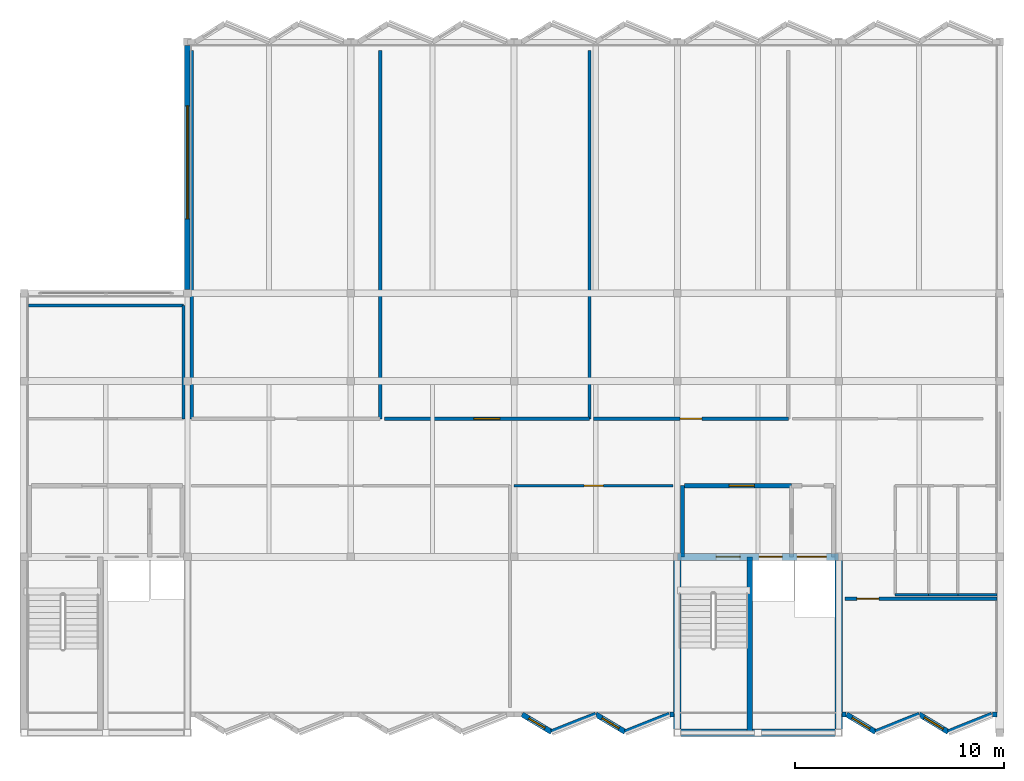
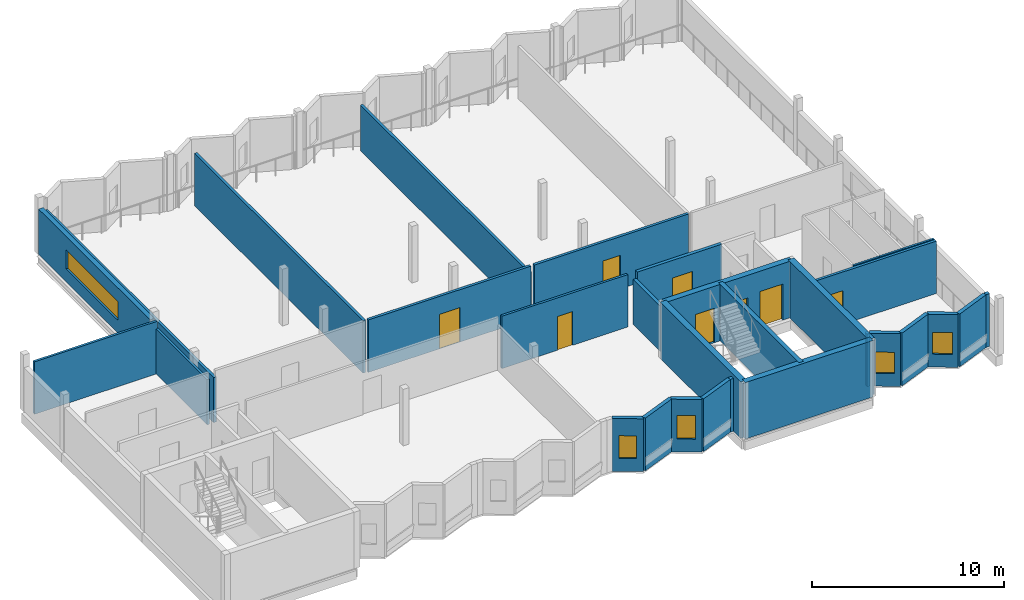
# One storey, part 5 of 11: 31 walls, 8 doors, 5 windows, 13 openings.
"""IFC4 building model written with IfcOpenShell, lengths in metres."""

from ifc_helpers import new_model, si_unit, direction, frame, frame_2d, origin, place, context, subcontext, project, spatial, rectangle, extrude, material, layer, layer_set, type_object, element, fill, save


model = new_model("IFC4")

# Units and contexts
model_context = context("Model", 3, precision=1e-05, world=origin(), true_north=direction((0.0, 1.0)))
body_context = subcontext(model_context, "Body", "Model", "MODEL_VIEW")
ifc_project = project(units=[si_unit("LENGTHUNIT", "METRE"), si_unit("AREAUNIT", "SQUARE_METRE"), si_unit("VOLUMEUNIT", "CUBIC_METRE"), si_unit("PLANEANGLEUNIT", "RADIAN"), si_unit("MASSUNIT", "GRAM", prefix="KILO")], contexts=[model_context])

# Site, building, storey
site_placement = place(None, origin())
site = spatial("IfcSite", under=ifc_project, at=site_placement, CompositionType="ELEMENT")
building_placement = place(site_placement, origin())
building = spatial("IfcBuilding", under=site, at=building_placement, Name="Vharandega Faculty of Natural Sciences", CompositionType="ELEMENT")
storey_placement = place(building_placement, frame((0.0, 0.0, 39.60009765625)))
storey = spatial("IfcBuildingStorey", under=building, at=storey_placement, Name="L10", CompositionType="ELEMENT", Elevation=39.60009765625)

# Walls
ifc_material_1 = material(Name="Concrete C40/50", Category="concrete")
ifc_layer_1 = layer(ifc_material_1, 0.35009765625, Name="Concrete C40/50")
ifc_layer_set_1 = layer_set([ifc_layer_1], Name="Concrete C40/50")
wall_type_1 = type_object("IfcWallType", Name="Core Shear Wall 350", PredefinedType="SHEAR", material=ifc_layer_set_1)
wall_1_placement = place(storey_placement, frame((146.0, 64.0, 0.0), z_axis=(0.0, 0.0, 1.0), x_axis=(1.0, 0.0, 0.0)))
element("IfcWall", 1, at=wall_1_placement, inside=storey, type_object=wall_type_1, Name="Interior Wall CW-C2-L10-S", PredefinedType="SHEAR", context=body_context, shape_type="SweptSolid", body=[
    extrude(rectangle(XDim=7.699951171875, YDim=0.35009765625, at=frame_2d((3.85009765625, 0.0))), origin(), (0.0, 0.0, 1.0), 3.599853515625),
])
for number, where, z_axis, x_axis, name in (
    (2, (146.0, 64.0, 0.0), (0.0, 0.0, 1.0), (0.0, 1.0, 0.0), "Interior Wall CW-C2-L10-W"),
    (3, (153.699951171875, 64.0, 0.0), (0.0, 0.0, 1.0), (0.0, 1.0, 0.0), "Interior Wall CW-C2-L10-E"),
):
    element("IfcWall", number, at=place(storey_placement, frame(where, z_axis=z_axis, x_axis=x_axis)), inside=storey, type_object=wall_type_1, Name=name, PredefinedType="SHEAR", context=body_context, shape_type="SweptSolid", body=[
        extrude(rectangle(XDim=8.39990234375, YDim=0.35009765625, at=frame_2d((4.199951171875, 0.0))), origin(), (0.0, 0.0, 1.0), 3.599853515625),
    ])

# Wall, openings, doors
wall_2_placement = place(storey_placement, frame((146.0, 72.39990234375, 0.0), z_axis=(0.0, 0.0, 1.0), x_axis=(1.0, 0.0, 0.0)))
wall_2 = element("IfcWall", 4, at=wall_2_placement, inside=storey, type_object=wall_type_1, Name="Interior Wall CW-C2-L10-N", PredefinedType="SHEAR", context=body_context, shape_type="SweptSolid", body=[
    extrude(rectangle(XDim=7.699951171875, YDim=0.35009765625, at=frame_2d((3.85009765625, 0.0))), origin(), (0.0, 0.0, 1.0), 3.599853515625),
])
opening_1_placement = place(wall_2_placement, frame((1.85009765625, 0.0, 0.0)))
opening_1 = element("IfcOpeningElement", 5, at=opening_1_placement, cuts=wall_2, Name="Opening FD1", PredefinedType="OPENING", context=body_context, shape_type="SweptSolid", body=[
    extrude(rectangle(XDim=1.14990234375, YDim=2.199951171875, at=frame_2d((0.574951171875, 1.10009765625))), frame((0.0, 0.18505859375, 0.0), z_axis=(0.0, -1.0, 0.0), x_axis=(1.0, 0.0, 0.0)), (0.0, 0.0, 1.0), 0.3701171875),
])
opening_2_placement = place(wall_2_placement, frame((3.89990234375, 0.0, 0.0)))
opening_2 = element("IfcOpeningElement", 6, at=opening_2_placement, cuts=wall_2, Name="Opening LD-FL2-L10", PredefinedType="OPENING", context=body_context, shape_type="SweptSolid", body=[
    extrude(rectangle(XDim=1.10009765625, YDim=2.14990234375, at=frame_2d((0.550048828125, 1.074951171875))), frame((0.0, 0.18505859375, 0.0), z_axis=(0.0, -1.0, 0.0), x_axis=(1.0, 0.0, 0.0)), (0.0, 0.0, 1.0), 0.3701171875),
])
opening_3_placement = place(wall_2_placement, frame((5.719970703125, 0.0, 0.0)))
opening_3 = element("IfcOpeningElement", 7, at=opening_3_placement, cuts=wall_2, Name="Opening LD-LG1-L10", PredefinedType="OPENING", context=body_context, shape_type="SweptSolid", body=[
    extrude(rectangle(XDim=1.39990234375, YDim=2.300048828125, at=frame_2d((0.699951171875, 1.14990234375))), frame((0.0, 0.18505859375, 0.0), z_axis=(0.0, -1.0, 0.0), x_axis=(1.0, 0.0, 0.0)), (0.0, 0.0, 1.0), 0.3701171875),
])
ifc_material_2 = material(Name="Solid-core hardwood timber fire door", Category="wood")
door_type_1 = type_object("IfcDoorType", Name="FD1-STAIR-1150x2200", OperationType="NOTDEFINED", PredefinedType="DOOR", material=ifc_material_2)
door_1_placement = place(opening_1_placement, origin())
door_1 = element("IfcDoor", 8, at=door_1_placement, inside=storey, type_object=door_type_1, Name="Stair ST2 Fire Door FD1", OperationType="SINGLE_SWING_LEFT", OverallHeight=2.199951171875, OverallWidth=1.14990234375, PredefinedType="DOOR", context=body_context, shape_type="SweptSolid", body=[
    extrude(rectangle(XDim=1.14990234375, YDim=2.199951171875, at=frame_2d((0.574951171875, 1.10009765625))), frame((0.0, 0.02490234375, 0.0), z_axis=(0.0, -1.0, 0.0), x_axis=(1.0, 0.0, 0.0)), (0.0, 0.0, 1.0), 0.050048828125),
])
fill(opening_1, door_1)
ifc_material_3 = material(Name="Brushed stainless steel sliding landing door", Category="steel")
door_type_2 = type_object("IfcDoorType", Name="LD1-FFLIFT-SLIDING-1100x2150", OperationType="DOUBLE_DOOR_SLIDING", PredefinedType="DOOR", material=ifc_material_3)
door_2_placement = place(opening_2_placement, origin())
door_2 = element("IfcDoor", 9, at=door_2_placement, inside=storey, type_object=door_type_2, Name="Lift Landing Door LD-FL2-L10", OperationType="DOUBLE_DOOR_SLIDING", OverallHeight=2.14990234375, OverallWidth=1.10009765625, PredefinedType="DOOR", context=body_context, shape_type="SweptSolid", body=[
    extrude(rectangle(XDim=1.10009765625, YDim=2.14990234375, at=frame_2d((0.550048828125, 1.074951171875))), frame((0.0, 0.02490234375, 0.0), z_axis=(0.0, -1.0, 0.0), x_axis=(1.0, 0.0, 0.0)), (0.0, 0.0, 1.0), 0.050048828125),
])
fill(opening_2, door_2)
ifc_material_4 = material(Name="Brushed stainless steel sliding landing door", Category="steel")
door_type_3 = type_object("IfcDoorType", Name="LD3-GOODSLIFT-SLIDING-1400x2300", OperationType="DOUBLE_DOOR_SLIDING", PredefinedType="DOOR", material=ifc_material_4)
door_3_placement = place(opening_3_placement, origin())
door_3 = element("IfcDoor", 10, at=door_3_placement, inside=storey, type_object=door_type_3, Name="Lift Landing Door LD-LG1-L10", OperationType="DOUBLE_DOOR_SLIDING", OverallHeight=2.300048828125, OverallWidth=1.39990234375, PredefinedType="DOOR", context=body_context, shape_type="SweptSolid", body=[
    extrude(rectangle(XDim=1.39990234375, YDim=2.300048828125, at=frame_2d((0.699951171875, 1.14990234375))), frame((0.0, 0.02490234375, 0.0), z_axis=(0.0, -1.0, 0.0), x_axis=(1.0, 0.0, 0.0)), (0.0, 0.0, 1.0), 0.050048828125),
])
fill(opening_3, door_3)

# Wall, opening, door
ifc_material_5 = material(Name="Concrete C40/50", Category="concrete")
ifc_layer_2 = layer(ifc_material_5, 0.199951171875, Name="Concrete C40/50")
ifc_layer_set_2 = layer_set([ifc_layer_2], Name="Concrete C40/50")
wall_type_2 = type_object("IfcWallType", Name="Firefighting Lobby Wall 200", PredefinedType="PARTITIONING", material=ifc_layer_set_2)
wall_3_placement = place(storey_placement, frame((146.35009765625, 75.800048828125, 0.0), z_axis=(0.0, 0.0, 1.0), x_axis=(1.0, 0.0, 0.0)))
wall_3 = element("IfcWall", 11, at=wall_3_placement, inside=storey, type_object=wall_type_2, Name="Interior Wall PW-FFL-C2-L10-N", PredefinedType="PARTITIONING", context=body_context, shape_type="SweptSolid", body=[
    extrude(rectangle(XDim=5.099853515625, YDim=0.199951171875, at=frame_2d((2.5498046875, 0.0))), origin(), (0.0, 0.0, 1.0), 3.31982421875),
])
opening_4_placement = place(wall_3_placement, frame((2.125, 0.0, 0.0)))
opening_4 = element("IfcOpeningElement", 12, at=opening_4_placement, cuts=wall_3, Name="Opening FD2", PredefinedType="OPENING", context=body_context, shape_type="SweptSolid", body=[
    extrude(rectangle(XDim=1.199951171875, YDim=2.199951171875, at=frame_2d((0.60009765625, 1.10009765625))), frame((0.0, 0.10986328125, 0.0), z_axis=(0.0, -1.0, 0.0), x_axis=(1.0, 0.0, 0.0)), (0.0, 0.0, 1.0), 0.219970703125),
])
ifc_material_6 = material(Name="Solid-core hardwood timber fire door", Category="wood")
door_type_4 = type_object("IfcDoorType", Name="FD2-FFLOBBY-1200x2200", OperationType="NOTDEFINED", PredefinedType="DOOR", material=ifc_material_6)
door_4_placement = place(opening_4_placement, origin())
door_4 = element("IfcDoor", 13, at=door_4_placement, inside=storey, type_object=door_type_4, Name="Firefighting Lobby C2 Door FD2", OperationType="SINGLE_SWING_RIGHT", OverallHeight=2.199951171875, OverallWidth=1.199951171875, PredefinedType="DOOR", context=body_context, shape_type="SweptSolid", body=[
    extrude(rectangle(XDim=1.199951171875, YDim=2.199951171875, at=frame_2d((0.60009765625, 1.10009765625))), frame((0.0, 0.02490234375, 0.0), z_axis=(0.0, -1.0, 0.0), x_axis=(1.0, 0.0, 0.0)), (0.0, 0.0, 1.0), 0.050048828125),
])
fill(opening_4, door_4)

# Wall
wall_4_placement = place(storey_placement, frame((146.25, 72.39990234375, 0.0), z_axis=(0.0, 0.0, 1.0), x_axis=(0.0, 1.0, 0.0)))
element("IfcWall", 14, at=wall_4_placement, inside=storey, type_object=wall_type_2, Name="Interior Wall PW-FFL-C2-L10-W", PredefinedType="PARTITIONING", context=body_context, shape_type="SweptSolid", body=[
    extrude(rectangle(XDim=3.400146484375, YDim=0.199951171875, at=frame_2d((1.7001953125, 0.0))), origin(), (0.0, 0.0, 1.0), 2.869873046875),
])

# Wall, opening, door
ifc_material_7 = material(Name="Gypsum fire-board on steel stud", Category="steel")
ifc_layer_3 = layer(ifc_material_7, 0.159912109375, Name="Gypsum fire-board on steel stud")
ifc_layer_set_3 = layer_set([ifc_layer_3], Name="Gypsum fire-board on steel stud")
wall_type_3 = type_object("IfcWallType", Name="Laboratory Fire Corridor Wall 160", PredefinedType="PARTITIONING", material=ifc_layer_set_3)
wall_5_placement = place(storey_placement, frame((154.0, 70.39990234375, 0.0), z_axis=(0.0, 0.0, 1.0), x_axis=(1.0, 0.0, 0.0)))
wall_5 = element("IfcWall", 15, at=wall_5_placement, inside=storey, type_object=wall_type_3, Name="Interior Wall PW-L10-R07N", PredefinedType="PARTITIONING", context=body_context, shape_type="SweptSolid", body=[
    extrude(rectangle(XDim=7.260009765625, YDim=0.159912109375, at=frame_2d((3.6298828125, 0.0))), origin(), (0.0, 0.0, 1.0), 3.33984375),
])
opening_5_placement = place(wall_5_placement, frame((0.574951171875, 0.0, 0.0)))
opening_5 = element("IfcOpeningElement", 16, at=opening_5_placement, cuts=wall_5, Name="Opening FD4", PredefinedType="OPENING", context=body_context, shape_type="SweptSolid", body=[
    extrude(rectangle(XDim=1.050048828125, YDim=2.14990234375, at=frame_2d((0.52490234375, 1.074951171875))), frame((0.0, 0.08984375, 0.0), z_axis=(0.0, -1.0, 0.0), x_axis=(1.0, 0.0, 0.0)), (0.0, 0.0, 1.0), 0.179931640625),
])
ifc_material_8 = material(Name="Solid-core hardwood timber fire door", Category="wood")
door_type_5 = type_object("IfcDoorType", Name="FD4-LAB-SGL-1050x2150", OperationType="NOTDEFINED", PredefinedType="DOOR", material=ifc_material_8)
door_5_placement = place(opening_5_placement, origin())
door_5 = element("IfcDoor", 17, at=door_5_placement, inside=storey, type_object=door_type_5, Name="L10 Laboratory Reagent Store Door FD4", OperationType="SINGLE_SWING_LEFT", OverallHeight=2.14990234375, OverallWidth=1.050048828125, PredefinedType="DOOR", context=body_context, shape_type="SweptSolid", body=[
    extrude(rectangle(XDim=1.050048828125, YDim=2.14990234375, at=frame_2d((0.52490234375, 1.074951171875))), frame((0.0, 0.02490234375, 0.0), z_axis=(0.0, -1.0, 0.0), x_axis=(1.0, 0.0, 0.0)), (0.0, 0.0, 1.0), 0.050048828125),
])
fill(opening_5, door_5)

# Walls
wall_6_placement = place(storey_placement, frame((122.800048828125, 79.0, 0.0), z_axis=(0.0, 0.0, 1.0), x_axis=(0.0, 1.0, 0.0)))
element("IfcWall", 18, at=wall_6_placement, inside=storey, type_object=wall_type_3, Name="Interior Wall PW-L10-R08W", PredefinedType="PARTITIONING", context=body_context, shape_type="SweptSolid", body=[
    extrude(rectangle(XDim=17.60009765625, YDim=0.159912109375, at=frame_2d((8.800048828125, 0.0))), origin(), (0.0, 0.0, 1.0), 2.869873046875),
])
wall_7_placement = place(storey_placement, frame((131.800048828125, 79.0, 0.0), z_axis=(0.0, 0.0, 1.0), x_axis=(0.0, 1.0, 0.0)))
element("IfcWall", 19, at=wall_7_placement, inside=storey, type_object=wall_type_3, Name="Interior Wall PW-L10-R08E", PredefinedType="PARTITIONING", context=body_context, shape_type="SweptSolid", body=[
    extrude(rectangle(XDim=17.60009765625, YDim=0.159912109375, at=frame_2d((8.800048828125, 0.0))), origin(), (0.0, 0.0, 1.0), 3.33984375),
])

# Wall, opening, door
wall_8_placement = place(storey_placement, frame((132.0, 79.0, 0.0), z_axis=(0.0, 0.0, 1.0), x_axis=(1.0, 0.0, 0.0)))
wall_8 = element("IfcWall", 20, at=wall_8_placement, inside=storey, type_object=wall_type_3, Name="Interior Wall PW-L10-R09S", PredefinedType="PARTITIONING", context=body_context, shape_type="SweptSolid", body=[
    extrude(rectangle(XDim=9.800048828125, YDim=0.159912109375, at=frame_2d((4.89990234375, 0.0))), origin(), (0.0, 0.0, 1.0), 3.33984375),
])
opening_6_placement = place(wall_8_placement, frame((4.27490234375, 0.0, 0.0)))
opening_6 = element("IfcOpeningElement", 21, at=opening_6_placement, cuts=wall_8, Name="Opening D0380", PredefinedType="OPENING", context=body_context, shape_type="SweptSolid", body=[
    extrude(rectangle(XDim=1.25, YDim=2.199951171875, at=frame_2d((0.625, 1.10009765625))), frame((0.0, 0.08984375, 0.0), z_axis=(0.0, -1.0, 0.0), x_axis=(1.0, 0.0, 0.0)), (0.0, 0.0, 1.0), 0.179931640625),
])
ifc_material_9 = material(Name="Solid-core hardwood timber fire door", Category="wood")
door_type_6 = type_object("IfcDoorType", Name="ID13-PREP-1250x2200", OperationType="NOTDEFINED", PredefinedType="DOOR", material=ifc_material_9)
door_6_placement = place(opening_6_placement, origin())
door_6 = element("IfcDoor", 22, at=door_6_placement, inside=storey, type_object=door_type_6, Name="Biogeochemistry Trace-Element Laboratory Door D0380", OperationType="SINGLE_SWING_LEFT", OverallHeight=2.199951171875, OverallWidth=1.25, PredefinedType="DOOR", context=body_context, shape_type="SweptSolid", body=[
    extrude(rectangle(XDim=1.25, YDim=2.199951171875, at=frame_2d((0.625, 1.10009765625))), frame((0.0, 0.02490234375, 0.0), z_axis=(0.0, -1.0, 0.0), x_axis=(1.0, 0.0, 0.0)), (0.0, 0.0, 1.0), 0.050048828125),
])
fill(opening_6, door_6)

# Wall
wall_9_placement = place(storey_placement, frame((141.800048828125, 79.0, 0.0), z_axis=(0.0, 0.0, 1.0), x_axis=(0.0, 1.0, 0.0)))
element("IfcWall", 23, at=wall_9_placement, inside=storey, type_object=wall_type_3, Name="Interior Wall PW-L10-R09E", PredefinedType="PARTITIONING", context=body_context, shape_type="SweptSolid", body=[
    extrude(rectangle(XDim=17.60009765625, YDim=0.159912109375, at=frame_2d((8.800048828125, 0.0))), origin(), (0.0, 0.0, 1.0), 2.909912109375),
])

# Wall, opening, door
wall_10_placement = place(storey_placement, frame((142.0, 79.0, 0.0), z_axis=(0.0, 0.0, 1.0), x_axis=(1.0, 0.0, 0.0)))
wall_10 = element("IfcWall", 24, at=wall_10_placement, inside=storey, type_object=wall_type_3, Name="Interior Wall PW-L10-R10S", PredefinedType="PARTITIONING", context=body_context, shape_type="SweptSolid", body=[
    extrude(rectangle(XDim=9.300048828125, YDim=0.159912109375, at=frame_2d((4.64990234375, 0.0))), origin(), (0.0, 0.0, 1.0), 3.33984375),
])
opening_7_placement = place(wall_10_placement, frame((4.125, 0.0, 0.0)))
opening_7 = element("IfcOpeningElement", 25, at=opening_7_placement, cuts=wall_10, Name="Opening FD4", PredefinedType="OPENING", context=body_context, shape_type="SweptSolid", body=[
    extrude(rectangle(XDim=1.050048828125, YDim=2.14990234375, at=frame_2d((0.52490234375, 1.074951171875))), frame((0.0, 0.08984375, 0.0), z_axis=(0.0, -1.0, 0.0), x_axis=(1.0, 0.0, 0.0)), (0.0, 0.0, 1.0), 0.179931640625),
])
door_7_placement = place(opening_7_placement, origin())
door_7 = element("IfcDoor", 26, at=door_7_placement, inside=storey, type_object=door_type_5, Name="Electron Microscopy Suite Door FD4", OperationType="SINGLE_SWING_RIGHT", OverallHeight=2.14990234375, OverallWidth=1.050048828125, PredefinedType="DOOR", context=body_context, shape_type="SweptSolid", body=[
    extrude(rectangle(XDim=1.050048828125, YDim=2.14990234375, at=frame_2d((0.52490234375, 1.074951171875))), frame((0.0, 0.02490234375, 0.0), z_axis=(0.0, -1.0, 0.0), x_axis=(1.0, 0.0, 0.0)), (0.0, 0.0, 1.0), 0.050048828125),
])
fill(opening_7, door_7)

# Walls
ifc_material_10 = material(Name="Concrete C40/50", Category="concrete")
ifc_layer_4 = layer(ifc_material_10, 0.260009765625, Name="Concrete C40/50")
ifc_layer_set_4 = layer_set([ifc_layer_4], Name="Concrete C40/50")
wall_type_4 = type_object("IfcWallType", Name="Lift Shaft Shear Wall 260", PredefinedType="SHEAR", material=ifc_layer_set_4)
wall_11_placement = place(storey_placement, frame((149.4599609375, 64.0, 0.0), z_axis=(0.0, 0.0, 1.0), x_axis=(0.0, 1.0, 0.0)))
element("IfcWall", 27, at=wall_11_placement, inside=storey, type_object=wall_type_4, Name="Interior Wall CW-C2-L10-DIV", PredefinedType="SHEAR", context=body_context, shape_type="SweptSolid", body=[
    extrude(rectangle(XDim=8.39990234375, YDim=0.260009765625, at=frame_2d((4.199951171875, 0.0))), origin(), (0.0, 0.0, 1.0), 3.599853515625),
])
ifc_material_11 = material(Name="Gypsum acoustic partition", Category="gypsum")
ifc_layer_5 = layer(ifc_material_11, 0.139892578125, Name="Gypsum acoustic partition")
ifc_layer_set_5 = layer_set([ifc_layer_5], Name="Gypsum acoustic partition")
wall_type_5 = type_object("IfcWallType", Name="Room Partition Wall 140", PredefinedType="PARTITIONING", material=ifc_layer_set_5)
wall_12_placement = place(storey_placement, frame((115.0, 84.39990234375, 0.0), z_axis=(0.0, 0.0, 1.0), x_axis=(1.0, 0.0, 0.0)))
element("IfcWall", 28, at=wall_12_placement, inside=storey, type_object=wall_type_5, Name="Interior Wall PW-L10-R01N", PredefinedType="PARTITIONING", context=body_context, shape_type="SweptSolid", body=[
    extrude(rectangle(XDim=7.39990234375, YDim=0.139892578125, at=frame_2d((3.699951171875, 0.0))), origin(), (0.0, 0.0, 1.0), 3.33984375),
])
wall_13_placement = place(storey_placement, frame((122.39990234375, 79.0, 0.0), z_axis=(0.0, 0.0, 1.0), x_axis=(0.0, 1.0, 0.0)))
element("IfcWall", 29, at=wall_13_placement, inside=storey, type_object=wall_type_5, Name="Interior Wall PW-L10-R01E", PredefinedType="PARTITIONING", context=body_context, shape_type="SweptSolid", body=[
    extrude(rectangle(XDim=5.39990234375, YDim=0.139892578125, at=frame_2d((2.699951171875, 0.0))), origin(), (0.0, 0.0, 1.0), 2.869873046875),
])

# Wall, opening, door
wall_14_placement = place(storey_placement, frame((138.199951171875, 75.800048828125, 0.0), z_axis=(0.0, 0.0, 1.0), x_axis=(1.0, 0.0, 0.0)))
wall_14 = element("IfcWall", 30, at=wall_14_placement, inside=storey, type_object=wall_type_5, Name="Interior Wall PW-L10-R03N", PredefinedType="PARTITIONING", context=body_context, shape_type="SweptSolid", body=[
    extrude(rectangle(XDim=7.60009765625, YDim=0.139892578125, at=frame_2d((3.800048828125, 0.0))), origin(), (0.0, 0.0, 1.0), 3.33984375),
])
opening_8_placement = place(wall_14_placement, frame((3.340087890625, 0.0, 0.0)))
opening_8 = element("IfcOpeningElement", 31, at=opening_8_placement, cuts=wall_14, Name="Opening D0374", PredefinedType="OPENING", context=body_context, shape_type="SweptSolid", body=[
    extrude(rectangle(XDim=0.919921875, YDim=2.14990234375, at=frame_2d((0.4599609375, 1.074951171875))), frame((0.0, 0.080078125, 0.0), z_axis=(0.0, -1.0, 0.0), x_axis=(1.0, 0.0, 0.0)), (0.0, 0.0, 1.0), 0.159912109375),
])
ifc_material_12 = material(Name="Solid-core hardwood timber fire door", Category="wood")
door_type_7 = type_object("IfcDoorType", Name="ID05-OFFICE-0920x2150", OperationType="NOTDEFINED", PredefinedType="DOOR", material=ifc_material_12)
door_8_placement = place(opening_8_placement, origin())
door_8 = element("IfcDoor", 32, at=door_8_placement, inside=storey, type_object=door_type_7, Name="Tutorial Room 1001 Door D0374", OperationType="SINGLE_SWING_LEFT", OverallHeight=2.14990234375, OverallWidth=0.919921875, PredefinedType="DOOR", context=body_context, shape_type="SweptSolid", body=[
    extrude(rectangle(XDim=0.919921875, YDim=2.14990234375, at=frame_2d((0.4599609375, 1.074951171875))), frame((0.0, 0.02490234375, 0.0), z_axis=(0.0, -1.0, 0.0), x_axis=(1.0, 0.0, 0.0)), (0.0, 0.0, 1.0), 0.050048828125),
])
fill(opening_8, door_8)

# Walls
ifc_material_13 = material(Name="Moisture-resistant gypsum partition", Category="gypsum")
ifc_layer_6 = layer(ifc_material_13, 0.1201171875, Name="Moisture-resistant gypsum partition")
ifc_layer_set_6 = layer_set([ifc_layer_6], Name="Moisture-resistant gypsum partition")
wall_type_6 = type_object("IfcWallType", Name="Sanitary Wet Wall 120", PredefinedType="PARTITIONING", material=ifc_layer_set_6)
wall_15_placement = place(storey_placement, frame((156.39990234375, 70.60009765625, 0.0), z_axis=(0.0, 0.0, 1.0), x_axis=(1.0, 0.0, 0.0)))
element("IfcWall", 33, at=wall_15_placement, inside=storey, type_object=wall_type_6, Name="Interior Wall PW-L10-R04S", PredefinedType="PARTITIONING", context=body_context, shape_type="SweptSolid", body=[
    extrude(rectangle(XDim=1.60009765625, YDim=0.1201171875, at=frame_2d((0.800048828125, 0.0))), origin(), (0.0, 0.0, 1.0), 3.33984375),
])
wall_16_placement = place(storey_placement, frame((158.0, 70.60009765625, 0.0), z_axis=(0.0, 0.0, 1.0), x_axis=(1.0, 0.0, 0.0)))
element("IfcWall", 34, at=wall_16_placement, inside=storey, type_object=wall_type_6, Name="Interior Wall PW-L10-R05S", PredefinedType="PARTITIONING", context=body_context, shape_type="SweptSolid", body=[
    extrude(rectangle(XDim=1.39990234375, YDim=0.1201171875, at=frame_2d((0.699951171875, 0.0))), origin(), (0.0, 0.0, 1.0), 3.33984375),
])
wall_17_placement = place(storey_placement, frame((159.39990234375, 70.60009765625, 0.0), z_axis=(0.0, 0.0, 1.0), x_axis=(1.0, 0.0, 0.0)))
element("IfcWall", 35, at=wall_17_placement, inside=storey, type_object=wall_type_6, Name="Interior Wall PW-L10-R06S", PredefinedType="PARTITIONING", context=body_context, shape_type="SweptSolid", body=[
    extrude(rectangle(XDim=1.860107421875, YDim=0.1201171875, at=frame_2d((0.93017578125, 0.0))), origin(), (0.0, 0.0, 1.0), 3.33984375),
])

# Wall, opening, window
ifc_material_14 = material(Name="Precast concrete C40/50", Category="concrete")
ifc_layer_7 = layer(ifc_material_14, 0.25, Name="Precast concrete C40/50")
ifc_layer_set_7 = layer_set([ifc_layer_7], Name="Precast concrete C40/50")
wall_type_7 = type_object("IfcWallType", Name="Sawtooth Glazed-Face Precast Wall 250", PredefinedType="SOLIDWALL", material=ifc_layer_set_7)
wall_18_placement = place(storey_placement, frame((139.988037109375, 64.0400390625, 0.0), z_axis=(0.0, 0.0, 1.0), x_axis=(-0.858817206091, 0.512282155185, 0.0)))
wall_18 = element("IfcWall", 36, at=wall_18_placement, inside=storey, type_object=wall_type_7, Name="Exterior Wall EW-SAW-L10-S05G", PredefinedType="SOLIDWALL", context=body_context, shape_type="SweptSolid", body=[
    extrude(rectangle(XDim=1.639404296875, YDim=0.25, at=frame_2d((0.81982421875, 0.0))), origin(), (0.0, 0.0, 1.0), 3.35986328125),
])
opening_9_placement = place(wall_18_placement, frame((0.369873046875, 0.0, 0.820068359375)))
opening_9 = element("IfcOpeningElement", 37, at=opening_9_placement, cuts=wall_18, Name="Opening WN-03", PredefinedType="OPENING", context=body_context, shape_type="SweptSolid", body=[
    extrude(rectangle(XDim=0.89990234375, YDim=1.449951171875, at=frame_2d((0.449951171875, 0.72509765625))), frame((0.0, 0.135009765625, 0.0), z_axis=(0.0, -1.0, 0.0), x_axis=(1.0, 0.0, 0.0)), (0.0, 0.0, 1.0), 0.27001953125),
])
ifc_material_15 = material(Name="Double-glazed solar-control glass in thermally broken aluminium frame", Category="aluminium")
window_type_1 = type_object("IfcWindowType", Name="WIN-SAW-090x145", PartitioningType="SINGLE_PANEL", PredefinedType="WINDOW", material=ifc_material_15)
window_1_placement = place(opening_9_placement, origin())
window_1 = element("IfcWindow", 38, at=window_1_placement, inside=storey, type_object=window_type_1, Name="Window WIN-L10-0123", OverallHeight=1.449951171875, OverallWidth=0.89990234375, PartitioningType="SINGLE_PANEL", PredefinedType="WINDOW", context=body_context, shape_type="SweptSolid", body=[
    extrude(rectangle(XDim=0.89990234375, YDim=1.449951171875, at=frame_2d((0.449951171875, 0.72509765625))), frame((0.0, 0.030029296875, 0.0), z_axis=(0.0, -1.0, 0.0), x_axis=(1.0, 0.0, 0.0)), (0.0, 0.0, 1.0), 0.06005859375),
])
fill(opening_9, window_1)

wall_19_placement = place(storey_placement, frame((143.508056640625, 64.0400390625, 0.0), z_axis=(0.0, 0.0, 1.0), x_axis=(-0.858817206091, 0.512282155185, 0.0)))
wall_19 = element("IfcWall", 39, at=wall_19_placement, inside=storey, type_object=wall_type_7, Name="Exterior Wall EW-SAW-L10-S06G", PredefinedType="SOLIDWALL", context=body_context, shape_type="SweptSolid", body=[
    extrude(rectangle(XDim=1.639404296875, YDim=0.25, at=frame_2d((0.81982421875, 0.0))), origin(), (0.0, 0.0, 1.0), 3.35986328125),
])
opening_10_placement = place(wall_19_placement, frame((0.3447265625, 0.0, 0.820068359375)))
opening_10 = element("IfcOpeningElement", 40, at=opening_10_placement, cuts=wall_19, Name="Opening WN-04", PredefinedType="OPENING", context=body_context, shape_type="SweptSolid", body=[
    extrude(rectangle(XDim=0.949951171875, YDim=1.5, at=frame_2d((0.47509765625, 0.75))), frame((0.0, 0.135009765625, 0.0), z_axis=(0.0, -1.0, 0.0), x_axis=(1.0, 0.0, 0.0)), (0.0, 0.0, 1.0), 0.27001953125),
])
ifc_material_16 = material(Name="Double-glazed solar-control glass in thermally broken aluminium frame", Category="aluminium")
window_type_2 = type_object("IfcWindowType", Name="WIN-SAW-095x150", PartitioningType="SINGLE_PANEL", PredefinedType="WINDOW", material=ifc_material_16)
window_2_placement = place(opening_10_placement, origin())
window_2 = element("IfcWindow", 41, at=window_2_placement, inside=storey, type_object=window_type_2, Name="Window WIN-L10-0124", OverallHeight=1.5, OverallWidth=0.949951171875, PartitioningType="SINGLE_PANEL", PredefinedType="WINDOW", context=body_context, shape_type="SweptSolid", body=[
    extrude(rectangle(XDim=0.949951171875, YDim=1.5, at=frame_2d((0.47509765625, 0.75))), frame((0.0, 0.030029296875, 0.0), z_axis=(0.0, -1.0, 0.0), x_axis=(1.0, 0.0, 0.0)), (0.0, 0.0, 1.0), 0.06005859375),
])
fill(opening_10, window_2)

wall_20_placement = place(storey_placement, frame((155.468017578125, 64.0400390625, 0.0), z_axis=(0.0, 0.0, 1.0), x_axis=(-0.855561475997, 0.51770122734, 0.0)))
wall_20 = element("IfcWall", 42, at=wall_20_placement, inside=storey, type_object=wall_type_7, Name="Exterior Wall EW-SAW-L10-S07G", PredefinedType="SOLIDWALL", context=body_context, shape_type="SweptSolid", body=[
    extrude(rectangle(XDim=1.622314453125, YDim=0.25, at=frame_2d((0.81103515625, 0.0))), origin(), (0.0, 0.0, 1.0), 3.35986328125),
])
opening_11_placement = place(wall_20_placement, frame((0.311279296875, 0.0, 0.820068359375)))
opening_11 = element("IfcOpeningElement", 43, at=opening_11_placement, cuts=wall_20, Name="Opening WN-05", PredefinedType="OPENING", context=body_context, shape_type="SweptSolid", body=[
    extrude(rectangle(XDim=1.0, YDim=1.35009765625, at=frame_2d((0.5, 0.675048828125))), frame((0.0, 0.135009765625, 0.0), z_axis=(0.0, -1.0, 0.0), x_axis=(1.0, 0.0, 0.0)), (0.0, 0.0, 1.0), 0.27001953125),
])
ifc_material_17 = material(Name="Double-glazed solar-control glass in thermally broken aluminium frame", Category="aluminium")
window_type_3 = type_object("IfcWindowType", Name="WIN-SAW-100x135", PartitioningType="SINGLE_PANEL", PredefinedType="WINDOW", material=ifc_material_17)
window_3_placement = place(opening_11_placement, origin())
window_3 = element("IfcWindow", 44, at=window_3_placement, inside=storey, type_object=window_type_3, Name="Window WIN-L10-0125", OverallHeight=1.35009765625, OverallWidth=1.0, PartitioningType="SINGLE_PANEL", PredefinedType="WINDOW", context=body_context, shape_type="SweptSolid", body=[
    extrude(rectangle(XDim=1.0, YDim=1.35009765625, at=frame_2d((0.5, 0.675048828125))), frame((0.0, 0.030029296875, 0.0), z_axis=(0.0, -1.0, 0.0), x_axis=(1.0, 0.0, 0.0)), (0.0, 0.0, 1.0), 0.06005859375),
])
fill(opening_11, window_3)

wall_21_placement = place(storey_placement, frame((158.93798828125, 64.0400390625, 0.0), z_axis=(0.0, 0.0, 1.0), x_axis=(-0.855561475997, 0.51770122734, 0.0)))
wall_21 = element("IfcWall", 45, at=wall_21_placement, inside=storey, type_object=wall_type_7, Name="Exterior Wall EW-SAW-L10-S08G", PredefinedType="SOLIDWALL", context=body_context, shape_type="SweptSolid", body=[
    extrude(rectangle(XDim=1.622314453125, YDim=0.25, at=frame_2d((0.81103515625, 0.0))), origin(), (0.0, 0.0, 1.0), 3.35986328125),
])
opening_12_placement = place(wall_21_placement, frame((0.2861328125, 0.0, 0.820068359375)))
opening_12 = element("IfcOpeningElement", 46, at=opening_12_placement, cuts=wall_21, Name="Opening WN-06", PredefinedType="OPENING", context=body_context, shape_type="SweptSolid", body=[
    extrude(rectangle(XDim=1.050048828125, YDim=1.39990234375, at=frame_2d((0.52490234375, 0.699951171875))), frame((0.0, 0.135009765625, 0.0), z_axis=(0.0, -1.0, 0.0), x_axis=(1.0, 0.0, 0.0)), (0.0, 0.0, 1.0), 0.27001953125),
])
ifc_material_18 = material(Name="Double-glazed solar-control glass in thermally broken aluminium frame", Category="aluminium")
window_type_4 = type_object("IfcWindowType", Name="WIN-SAW-105x140", PartitioningType="SINGLE_PANEL", PredefinedType="WINDOW", material=ifc_material_18)
window_4_placement = place(opening_12_placement, origin())
window_4 = element("IfcWindow", 47, at=window_4_placement, inside=storey, type_object=window_type_4, Name="Window WIN-L10-0126", OverallHeight=1.39990234375, OverallWidth=1.050048828125, PartitioningType="SINGLE_PANEL", PredefinedType="WINDOW", context=body_context, shape_type="SweptSolid", body=[
    extrude(rectangle(XDim=1.050048828125, YDim=1.39990234375, at=frame_2d((0.52490234375, 0.699951171875))), frame((0.0, 0.030029296875, 0.0), z_axis=(0.0, -1.0, 0.0), x_axis=(1.0, 0.0, 0.0)), (0.0, 0.0, 1.0), 0.06005859375),
])
fill(opening_12, window_4)

# Walls
ifc_material_19 = material(Name="Precast concrete C40/50", Category="concrete")
ifc_layer_8 = layer(ifc_material_19, 0.22998046875, Name="Precast concrete C40/50")
ifc_layer_set_8 = layer_set([ifc_layer_8], Name="Precast concrete C40/50")
wall_type_8 = type_object("IfcWallType", Name="Sawtooth Solid White Precast Wall 230", PredefinedType="SOLIDWALL", material=ifc_layer_set_8)
wall_22_placement = place(storey_placement, frame((145.830078125, 64.8798828125, 0.0), z_axis=(0.0, 0.0, 1.0), x_axis=(-1.0, 0.0, 0.0)))
element("IfcWall", 48, at=wall_22_placement, inside=storey, type_object=wall_type_8, Name="Exterior Wall EW-SHL-L10-S1819FR", PredefinedType="SOLIDWALL", context=body_context, shape_type="SweptSolid", body=[
    extrude(rectangle(XDim=0.190185546875, YDim=0.22998046875, at=frame_2d((0.09521484375, 0.0))), origin(), (0.0, 0.0, 1.0), 3.35986328125),
])
wall_23_placement = place(storey_placement, frame((154.050048828125, 64.8798828125, 0.0), z_axis=(0.0, 0.0, 1.0), x_axis=(-1.0, 0.0, 0.0)))
element("IfcWall", 49, at=wall_23_placement, inside=storey, type_object=wall_type_8, Name="Exterior Wall EW-SHL-L10-S2021FL", PredefinedType="SOLIDWALL", context=body_context, shape_type="SweptSolid", body=[
    extrude(rectangle(XDim=0.179931640625, YDim=0.22998046875, at=frame_2d((0.08984375, 0.0))), origin(), (0.0, 0.0, 1.0), 3.35986328125),
])
wall_24_placement = place(storey_placement, frame((161.264892578125, 64.8798828125, 0.0), z_axis=(0.0, 0.0, 1.0), x_axis=(-1.0, 0.0, 0.0)))
element("IfcWall", 50, at=wall_24_placement, inside=storey, type_object=wall_type_8, Name="Exterior Wall EW-SHL-L10-S2021FR", PredefinedType="SOLIDWALL", context=body_context, shape_type="SweptSolid", body=[
    extrude(rectangle(XDim=0.224853515625, YDim=0.22998046875, at=frame_2d((0.1123046875, 0.0))), origin(), (0.0, 0.0, 1.0), 3.35986328125),
])
for number, where, z_axis, x_axis, name in (
    (51, (142.10009765625, 64.8798828125, 0.0), (0.0, 0.0, 1.0), (-0.929230364612, -0.369500919462, 0.0), "Exterior Wall EW-SAW-L10-S05S"),
    (52, (145.6201171875, 64.8798828125, 0.0), (0.0, 0.0, 1.0), (-0.929230364612, -0.369500919462, 0.0), "Exterior Wall EW-SAW-L10-S06S"),
):
    element("IfcWall", number, at=place(storey_placement, frame(where, z_axis=z_axis, x_axis=x_axis)), inside=storey, type_object=wall_type_8, Name=name, PredefinedType="SOLIDWALL", context=body_context, shape_type="SweptSolid", body=[
        extrude(rectangle(XDim=2.27294921875, YDim=0.22998046875, at=frame_2d((1.136474609375, 0.0))), origin(), (0.0, 0.0, 1.0), 3.35986328125),
    ])
for number, where, z_axis, x_axis, name in (
    (53, (157.550048828125, 64.8798828125, 0.0), (0.0, 0.0, 1.0), (-0.927392797001, -0.374089026933, 0.0), "Exterior Wall EW-SAW-L10-S07S"),
    (54, (161.02001953125, 64.8798828125, 0.0), (0.0, 0.0, 1.0), (-0.927392797001, -0.374089026933, 0.0), "Exterior Wall EW-SAW-L10-S08S"),
):
    element("IfcWall", number, at=place(storey_placement, frame(where, z_axis=z_axis, x_axis=x_axis)), inside=storey, type_object=wall_type_8, Name=name, PredefinedType="SOLIDWALL", context=body_context, shape_type="SweptSolid", body=[
        extrude(rectangle(XDim=2.2451171875, YDim=0.22998046875, at=frame_2d((1.12255859375, 0.0))), origin(), (0.0, 0.0, 1.0), 3.35986328125),
    ])

# Wall, opening, window
ifc_material_20 = material(Name="Precast concrete C40/50", Category="concrete")
ifc_layer_9 = layer(ifc_material_20, 0.280029296875, Name="Precast concrete C40/50")
ifc_layer_set_9 = layer_set([ifc_layer_9], Name="Precast concrete C40/50")
wall_type_9 = type_object("IfcWallType", Name="White Precast End Wall 280", PredefinedType="SOLIDWALL", material=ifc_layer_set_9)
wall_25_placement = place(storey_placement, frame((122.60009765625, 85.177978515625, 0.0), z_axis=(0.0, 0.0, 1.0), x_axis=(0.0, 1.0, 0.0)))
wall_25 = element("IfcWall", 55, at=wall_25_placement, inside=storey, type_object=wall_type_9, Name="Exterior Wall EW-L10-V4CW", PredefinedType="SOLIDWALL", context=body_context, shape_type="SweptSolid", body=[
    extrude(rectangle(XDim=11.64404296875, YDim=0.280029296875, at=frame_2d((5.822021484375, 0.0))), origin(), (0.0, 0.0, 1.0), 2.889892578125),
])
opening_13_placement = place(wall_25_placement, frame((3.3720703125, 0.0, 0.820068359375)))
opening_13 = element("IfcOpeningElement", 56, at=opening_13_placement, cuts=wall_25, Name="Opening WN-10", PredefinedType="OPENING", context=body_context, shape_type="SweptSolid", body=[
    extrude(rectangle(XDim=5.39990234375, YDim=1.199951171875, at=frame_2d((2.699951171875, 0.60009765625))), frame((0.0, 0.14990234375, 0.0), z_axis=(0.0, -1.0, 0.0), x_axis=(1.0, 0.0, 0.0)), (0.0, 0.0, 1.0), 0.300048828125),
])
ifc_material_21 = material(Name="Double-glazed solar-control glass in thermally broken aluminium frame", Category="aluminium")
window_type_5 = type_object("IfcWindowType", Name="WIN-MON-540x120", PartitioningType="DOUBLE_PANEL_VERTICAL", PredefinedType="WINDOW", material=ifc_material_21)
window_5_placement = place(opening_13_placement, origin())
window_5 = element("IfcWindow", 57, at=window_5_placement, inside=storey, type_object=window_type_5, Name="Window WIN-L10-0108", OverallHeight=1.199951171875, OverallWidth=5.39990234375, PartitioningType="SINGLE_PANEL", PredefinedType="WINDOW", context=body_context, shape_type="SweptSolid", body=[
    extrude(rectangle(XDim=5.39990234375, YDim=1.199951171875, at=frame_2d((2.699951171875, 0.60009765625))), frame((0.0, 0.030029296875, 0.0), z_axis=(0.0, -1.0, 0.0), x_axis=(1.0, 0.0, 0.0)), (0.0, 0.0, 1.0), 0.06005859375),
])
fill(opening_13, window_5)

save(model, "model.ifc")
